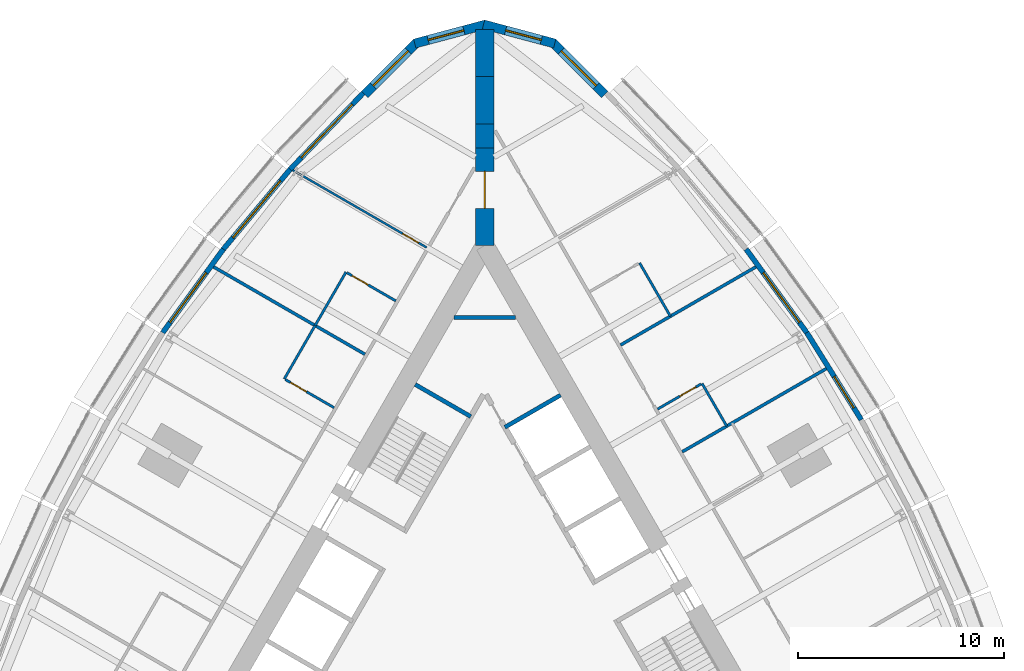
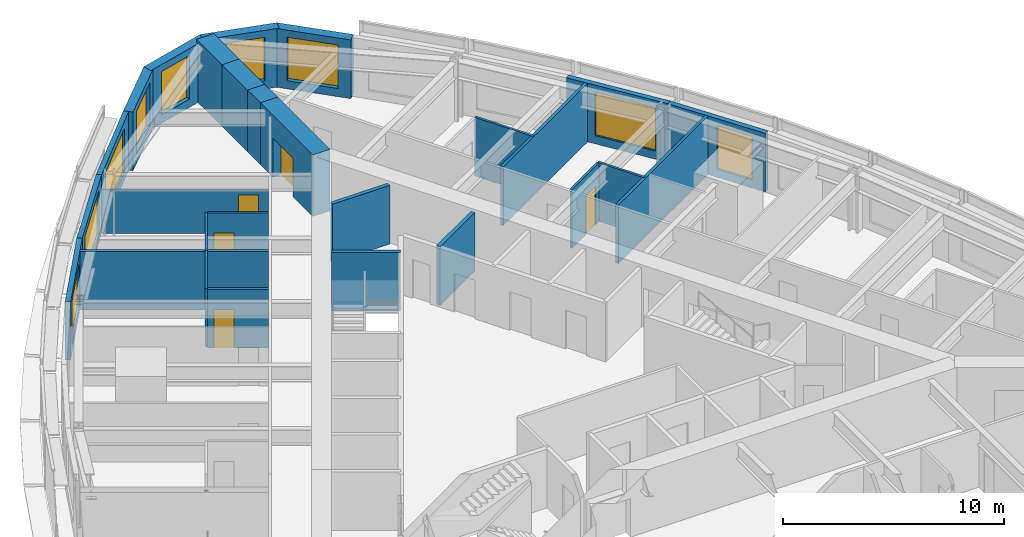
# One storey, part 12 of 14: 27 walls, 9 windows, 5 doors, 14 openings.
"""IFC4 building model written with IfcOpenShell, lengths in metres."""

from ifc_helpers import new_model, si_unit, direction, frame, frame_2d, origin, place, context, subcontext, project, spatial, polyline, rectangle, outline, extrude, material, layer, layer_set, type_object, element, fill, save


model = new_model("IFC4")

# Units and contexts
model_context = context("Model", 3, precision=1e-05, world=origin(), true_north=direction((0.0, 1.0)))
body_context = subcontext(model_context, "Body", "Model", "MODEL_VIEW")
ifc_project = project(units=[si_unit("LENGTHUNIT", "METRE"), si_unit("AREAUNIT", "SQUARE_METRE"), si_unit("VOLUMEUNIT", "CUBIC_METRE"), si_unit("PLANEANGLEUNIT", "RADIAN"), si_unit("MASSUNIT", "GRAM", prefix="KILO")], contexts=[model_context])

# Site, building, storey
site_placement = place(None, origin())
site = spatial("IfcSite", under=ifc_project, at=site_placement, CompositionType="ELEMENT")
building_placement = place(site_placement, origin())
building = spatial("IfcBuilding", under=site, at=building_placement, Name="Trikona Tower", CompositionType="ELEMENT")
storey_placement = place(building_placement, frame((0.0, 0.0, 169.10009765625)))
storey = spatial("IfcBuildingStorey", under=building, at=storey_placement, Name="L45", CompositionType="ELEMENT", Elevation=169.10009765625)

# Wall
ifc_material_1 = material(Name="Metal stud and cement board", Category="gypsum")
ifc_layer_1 = layer(ifc_material_1, 0.1201171875)
ifc_layer_set_1 = layer_set([ifc_layer_1], Name="Bathroom wall 120")
wall_type_1 = type_object("IfcWallType", Name="Bathroom wall 120", PredefinedType="PLUMBINGWALL", material=ifc_layer_set_1)
wall_1_placement = place(storey_placement, frame((11.77294921875, 10.26123046875, 0.0), z_axis=(0.0, 0.0, 1.0), x_axis=(-0.500001309137, 0.866024647952, 0.0)))
element("IfcWall", 1, at=wall_1_placement, inside=storey, type_object=wall_type_1, Name="Bathroom wall 4508", PredefinedType="PLUMBINGWALL", context=body_context, shape_type="SweptSolid", body=[
    extrude(rectangle(XDim=2.39990234375, YDim=0.1201171875, at=frame_2d((1.199951171875, 0.0))), origin(), (0.0, 0.0, 1.0), 3.23486328125),
])

# Wall, opening, door
wall_2_placement = place(storey_placement, frame((8.407958984375, 11.089599609375, 0.0), z_axis=(0.0, 0.0, 1.0), x_axis=(0.865980627057, 0.500077547548, 0.0)))
wall_2 = element("IfcWall", 2, at=wall_2_placement, inside=storey, type_object=wall_type_1, Name="Bathroom wall 4508", PredefinedType="PLUMBINGWALL", context=body_context, shape_type="SweptSolid", body=[
    extrude(rectangle(XDim=2.43994140625, YDim=0.1201171875, at=frame_2d((1.219970703125, 0.0))), origin(), (0.0, 0.0, 1.0), 3.23486328125),
])
opening_1_placement = place(wall_2_placement, frame((1.25, 0.0, 0.0)))
opening_1 = element("IfcOpeningElement", 3, at=opening_1_placement, cuts=wall_2, Name="Opening D2", PredefinedType="OPENING", context=body_context, shape_type="SweptSolid", body=[
    extrude(rectangle(XDim=0.89990234375, YDim=2.1298828125, at=frame_2d((0.449951171875, 1.06494140625))), frame((0.0, 0.070068359375, 0.0), z_axis=(0.0, -1.0, 0.0), x_axis=(1.0, 0.0, 0.0)), (0.0, 0.0, 1.0), 0.14013671875),
])
ifc_material_2 = material(Name="Steel door frame with solid-core timber leaf", Category="steel")
door_type_1 = type_object("IfcDoorType", Name="Bathroom door 900x2130", OperationType="SLIDING_TO_LEFT", PredefinedType="DOOR", material=ifc_material_2)
door_1_placement = place(opening_1_placement, origin())
door_1 = element("IfcDoor", 4, at=door_1_placement, inside=storey, type_object=door_type_1, Name="Bathroom door 4508", OperationType="SLIDING_TO_LEFT", OverallHeight=2.1298828125, OverallWidth=0.89990234375, PredefinedType="DOOR", context=body_context, shape_type="SweptSolid", body=[
    extrude(rectangle(XDim=0.89990234375, YDim=2.1298828125, at=frame_2d((0.449951171875, 1.06494140625))), frame((0.0, 0.02490234375, 0.0), z_axis=(0.0, -1.0, 0.0), x_axis=(1.0, 0.0, 0.0)), (0.0, 0.0, 1.0), 0.050048828125),
])
fill(opening_1, door_1)

# Walls
for number, where, z_axis, x_axis, name in (
    (5, (9.03271484375, 15.607421875, 0.0), (0.0, 0.0, 1.0), (-0.50002537861, 0.866010750942, 0.0), "Bathroom wall 4509.1"),
    (6, (-6.75341796875, 17.75537109375, 0.0), (0.0, 0.0, 1.0), (-0.50002537861, -0.866010750942, 0.0), "Bathroom wall 4510.1"),
):
    element("IfcWall", number, at=place(storey_placement, frame(where, z_axis=z_axis, x_axis=x_axis)), inside=storey, type_object=wall_type_1, Name=name, PredefinedType="PLUMBINGWALL", context=body_context, shape_type="SweptSolid", body=[
        extrude(rectangle(XDim=2.999755859375, YDim=0.1201171875, at=frame_2d((1.5, 0.0))), origin(), (0.0, 0.0, 1.0), 3.23486328125),
    ])

# Wall, opening, door
wall_3_placement = place(storey_placement, frame((-4.32861328125, 16.35546875, 0.0), z_axis=(0.0, 0.0, 1.0), x_axis=(-0.866035715982, 0.499982138324, 0.0)))
wall_3 = element("IfcWall", 7, at=wall_3_placement, inside=storey, type_object=wall_type_1, Name="Bathroom wall 4510.1", PredefinedType="PLUMBINGWALL", context=body_context, shape_type="SweptSolid", body=[
    extrude(rectangle(XDim=2.73974609375, YDim=0.1201171875, at=frame_2d((1.369873046875, 0.0))), origin(), (0.0, 0.0, 1.0), 3.23486328125),
])
opening_2_placement = place(wall_3_placement, frame((1.550048828125, 0.0, 0.0)))
opening_2 = element("IfcOpeningElement", 8, at=opening_2_placement, cuts=wall_3, Name="Opening D2", PredefinedType="OPENING", context=body_context, shape_type="SweptSolid", body=[
    extrude(rectangle(XDim=0.89990234375, YDim=2.1298828125, at=frame_2d((0.449951171875, 1.06494140625))), frame((0.0, 0.070068359375, 0.0), z_axis=(0.0, -1.0, 0.0), x_axis=(1.0, 0.0, 0.0)), (0.0, 0.0, 1.0), 0.14013671875),
])
door_2_placement = place(opening_2_placement, origin())
door_2 = element("IfcDoor", 9, at=door_2_placement, inside=storey, type_object=door_type_1, Name="Bathroom door 4510.1", OperationType="SLIDING_TO_LEFT", OverallHeight=2.1298828125, OverallWidth=0.89990234375, PredefinedType="DOOR", context=body_context, shape_type="SweptSolid", body=[
    extrude(rectangle(XDim=0.89990234375, YDim=2.1298828125, at=frame_2d((0.449951171875, 1.06494140625))), frame((0.0, 0.02490234375, 0.0), z_axis=(0.0, -1.0, 0.0), x_axis=(1.0, 0.0, 0.0)), (0.0, 0.0, 1.0), 0.050048828125),
])
fill(opening_2, door_2)

# Wall
wall_4_placement = place(storey_placement, frame((-8.25341796875, 15.157470703125, 0.0), z_axis=(0.0, 0.0, 1.0), x_axis=(-0.499990139034, -0.866031096941, 0.0)))
element("IfcWall", 10, at=wall_4_placement, inside=storey, type_object=wall_type_1, Name="Bathroom wall 4511.1", PredefinedType="PLUMBINGWALL", context=body_context, shape_type="SweptSolid", body=[
    extrude(rectangle(XDim=3.0, YDim=0.1201171875, at=frame_2d((1.5, 0.0))), origin(), (0.0, 0.0, 1.0), 3.23486328125),
])

# Wall, opening, door
wall_5_placement = place(storey_placement, frame((-7.32861328125, 11.1591796875, 0.0), z_axis=(0.0, 0.0, 1.0), x_axis=(-0.865997131366, 0.500048966069, 0.0)))
wall_5 = element("IfcWall", 11, at=wall_5_placement, inside=storey, type_object=wall_type_1, Name="Bathroom wall 4511.1", PredefinedType="PLUMBINGWALL", context=body_context, shape_type="SweptSolid", body=[
    extrude(rectangle(XDim=2.739990234375, YDim=0.1201171875, at=frame_2d((1.3701171875, 0.0))), origin(), (0.0, 0.0, 1.0), 3.23486328125),
])
opening_3_placement = place(wall_5_placement, frame((1.550048828125, 0.0, 0.0)))
opening_3 = element("IfcOpeningElement", 12, at=opening_3_placement, cuts=wall_5, Name="Opening D2", PredefinedType="OPENING", context=body_context, shape_type="SweptSolid", body=[
    extrude(rectangle(XDim=0.89990234375, YDim=2.1298828125, at=frame_2d((0.449951171875, 1.06494140625))), frame((0.0, 0.070068359375, 0.0), z_axis=(0.0, -1.0, 0.0), x_axis=(1.0, 0.0, 0.0)), (0.0, 0.0, 1.0), 0.14013671875),
])
door_3_placement = place(opening_3_placement, origin())
door_3 = element("IfcDoor", 13, at=door_3_placement, inside=storey, type_object=door_type_1, Name="Bathroom door 4511.1", OperationType="SLIDING_TO_LEFT", OverallHeight=2.1298828125, OverallWidth=0.89990234375, PredefinedType="DOOR", context=body_context, shape_type="SweptSolid", body=[
    extrude(rectangle(XDim=0.89990234375, YDim=2.1298828125, at=frame_2d((0.449951171875, 1.06494140625))), frame((0.0, 0.02490234375, 0.0), z_axis=(0.0, -1.0, 0.0), x_axis=(1.0, 0.0, 0.0)), (0.0, 0.0, 1.0), 0.050048828125),
])
fill(opening_3, door_3)

# Wall, opening, window
ifc_material_3 = material(Name="Brick-faced precast concrete", Category="masonry")
ifc_layer_2 = layer(ifc_material_3, 0.449951171875)
ifc_layer_set_2 = layer_set([ifc_layer_2], Name="Brick-faced corner wall 450")
wall_type_2 = type_object("IfcWallType", Name="Brick-faced corner wall 450", PredefinedType="SOLIDWALL", material=ifc_layer_set_2)
wall_6_placement = place(storey_placement, frame((5.8408203125, 26.39892578125, 0.0), z_axis=(0.0, 0.0, 1.0), x_axis=(-0.707106781187, 0.707106781187, 0.0)))
wall_6 = element("IfcWall", 14, at=wall_6_placement, inside=storey, type_object=wall_type_2, Name="External wall L45-20", PredefinedType="SOLIDWALL", context=body_context, shape_type="SweptSolid", body=[
    extrude(rectangle(XDim=3.586181640625, YDim=0.449951171875, at=frame_2d((1.79296875, 0.0))), origin(), (0.0, 0.0, 1.0), 3.23486328125),
])
opening_4_placement = place(wall_6_placement, frame((0.59326171875, 0.0, 0.449951171875)))
opening_4 = element("IfcOpeningElement", 15, at=opening_4_placement, cuts=wall_6, Name="Opening W2424", PredefinedType="OPENING", context=body_context, shape_type="SweptSolid", body=[
    extrude(rectangle(XDim=2.39990234375, YDim=2.39990234375, at=frame_2d((1.199951171875, 1.199951171875))), frame((0.0, 0.23486328125, 0.0), z_axis=(0.0, -1.0, 0.0), x_axis=(1.0, 0.0, 0.0)), (0.0, 0.0, 1.0), 0.469970703125),
])
ifc_material_4 = material(Name="Aluminium-framed double glazing", Category="aluminium")
window_type_1 = type_object("IfcWindowType", Name="Window 2400x2400", PartitioningType="SINGLE_PANEL", PredefinedType="WINDOW", material=ifc_material_4)
window_1_placement = place(opening_4_placement, origin())
window_1 = element("IfcWindow", 16, at=window_1_placement, inside=storey, type_object=window_type_1, Name="Window 4509", OverallHeight=2.39990234375, OverallWidth=2.39990234375, PartitioningType="SINGLE_PANEL", PredefinedType="WINDOW", context=body_context, shape_type="SweptSolid", body=[
    extrude(rectangle(XDim=2.39990234375, YDim=2.39990234375, at=frame_2d((1.199951171875, 1.199951171875))), frame((0.0, 0.030029296875, 0.0), z_axis=(0.0, -1.0, 0.0), x_axis=(1.0, 0.0, 0.0)), (0.0, 0.0, 1.0), 0.06005859375),
])
fill(opening_4, window_1)

wall_7_placement = place(storey_placement, frame((3.406005859375, 28.876708984375, 0.0), z_axis=(0.0, 0.0, 1.0), x_axis=(-0.965924653531, 0.258823421857, 0.0)))
wall_7 = element("IfcWall", 17, at=wall_7_placement, inside=storey, type_object=wall_type_2, Name="External wall L45-21", PredefinedType="SOLIDWALL", context=body_context, shape_type="SweptSolid", body=[
    extrude(outline(polyline([(3.58642578125, 0.22509765625), (3.526611328125, 0.22509765625), (3.035400390625, 0.09326171875), (3.0, 0.22509765625), (0.0, 0.22509765625), (0.0, -0.22509765625), (3.58642578125, -0.22509765625), (3.58642578125, 0.22509765625)])), origin(), (0.0, 0.0, 1.0), 3.23486328125),
])
opening_5_placement = place(wall_7_placement, frame((0.6748046875, 0.0, 0.449951171875)))
opening_5 = element("IfcOpeningElement", 18, at=opening_5_placement, cuts=wall_7, Name="Opening W1824", PredefinedType="OPENING", context=body_context, shape_type="SweptSolid", body=[
    extrude(rectangle(XDim=1.800048828125, YDim=2.39990234375, at=frame_2d((0.89990234375, 1.199951171875))), frame((0.0, 0.23486328125, 0.0), z_axis=(0.0, -1.0, 0.0), x_axis=(1.0, 0.0, 0.0)), (0.0, 0.0, 1.0), 0.469970703125),
])
ifc_material_5 = material(Name="Aluminium-framed double glazing", Category="aluminium")
window_type_2 = type_object("IfcWindowType", Name="Window 1800x2400", PartitioningType="SINGLE_PANEL", PredefinedType="WINDOW", material=ifc_material_5)
window_2_placement = place(opening_5_placement, origin())
window_2 = element("IfcWindow", 19, at=window_2_placement, inside=storey, type_object=window_type_2, Name="Window 4509", OverallHeight=2.39990234375, OverallWidth=1.800048828125, PartitioningType="SINGLE_PANEL", PredefinedType="WINDOW", context=body_context, shape_type="SweptSolid", body=[
    extrude(rectangle(XDim=1.800048828125, YDim=2.39990234375, at=frame_2d((0.89990234375, 1.199951171875))), frame((0.0, 0.030029296875, 0.0), z_axis=(0.0, -1.0, 0.0), x_axis=(1.0, 0.0, 0.0)), (0.0, 0.0, 1.0), 0.06005859375),
])
fill(opening_5, window_2)

wall_8_placement = place(storey_placement, frame((0.05810546875, 29.804931640625, 0.0), z_axis=(0.0, 0.0, 1.0), x_axis=(-0.965924653531, -0.258823421857, 0.0)))
wall_8 = element("IfcWall", 20, at=wall_8_placement, inside=storey, type_object=wall_type_2, Name="External wall L45-22", PredefinedType="SOLIDWALL", context=body_context, shape_type="SweptSolid", body=[
    extrude(outline(polyline([(3.58642578125, 0.22509765625), (0.58642578125, 0.22509765625), (0.551025390625, 0.09326171875), (0.0595703125, 0.22509765625), (0.0, 0.22509765625), (0.0, -0.22509765625), (3.58642578125, -0.22509765625), (3.58642578125, 0.22509765625)])), origin(), (0.0, 0.0, 1.0), 3.23486328125),
])
opening_6_placement = place(wall_8_placement, frame((1.111328125, 0.0, 0.449951171875)))
opening_6 = element("IfcOpeningElement", 21, at=opening_6_placement, cuts=wall_8, Name="Opening W1824", PredefinedType="OPENING", context=body_context, shape_type="SweptSolid", body=[
    extrude(rectangle(XDim=1.800048828125, YDim=2.39990234375, at=frame_2d((0.89990234375, 1.199951171875))), frame((0.0, 0.23486328125, 0.0), z_axis=(0.0, -1.0, 0.0), x_axis=(1.0, 0.0, 0.0)), (0.0, 0.0, 1.0), 0.469970703125),
])
window_3_placement = place(opening_6_placement, origin())
window_3 = element("IfcWindow", 22, at=window_3_placement, inside=storey, type_object=window_type_2, Name="Window 4510", OverallHeight=2.39990234375, OverallWidth=1.800048828125, PartitioningType="SINGLE_PANEL", PredefinedType="WINDOW", context=body_context, shape_type="SweptSolid", body=[
    extrude(rectangle(XDim=1.800048828125, YDim=2.39990234375, at=frame_2d((0.89990234375, 1.199951171875))), frame((0.0, 0.030029296875, 0.0), z_axis=(0.0, -1.0, 0.0), x_axis=(1.0, 0.0, 0.0)), (0.0, 0.0, 1.0), 0.06005859375),
])
fill(opening_6, window_3)

wall_9_placement = place(storey_placement, frame((-3.304931640625, 28.934814453125, 0.0), z_axis=(0.0, 0.0, 1.0), x_axis=(-0.707106781187, -0.707106781187, 0.0)))
wall_9 = element("IfcWall", 23, at=wall_9_placement, inside=storey, type_object=wall_type_2, Name="External wall L45-23", PredefinedType="SOLIDWALL", context=body_context, shape_type="SweptSolid", body=[
    extrude(rectangle(XDim=3.586181640625, YDim=0.449951171875, at=frame_2d((1.79296875, 0.0))), origin(), (0.0, 0.0, 1.0), 3.23486328125),
])
opening_7_placement = place(wall_9_placement, frame((0.59326171875, 0.0, 0.449951171875)))
opening_7 = element("IfcOpeningElement", 24, at=opening_7_placement, cuts=wall_9, Name="Opening W2424", PredefinedType="OPENING", context=body_context, shape_type="SweptSolid", body=[
    extrude(rectangle(XDim=2.39990234375, YDim=2.39990234375, at=frame_2d((1.199951171875, 1.199951171875))), frame((0.0, 0.23486328125, 0.0), z_axis=(0.0, -1.0, 0.0), x_axis=(1.0, 0.0, 0.0)), (0.0, 0.0, 1.0), 0.469970703125),
])
window_4_placement = place(opening_7_placement, origin())
window_4 = element("IfcWindow", 25, at=window_4_placement, inside=storey, type_object=window_type_1, Name="Window 4510", OverallHeight=2.39990234375, OverallWidth=2.39990234375, PartitioningType="SINGLE_PANEL", PredefinedType="WINDOW", context=body_context, shape_type="SweptSolid", body=[
    extrude(rectangle(XDim=2.39990234375, YDim=2.39990234375, at=frame_2d((1.199951171875, 1.199951171875))), frame((0.0, 0.030029296875, 0.0), z_axis=(0.0, -1.0, 0.0), x_axis=(1.0, 0.0, 0.0)), (0.0, 0.0, 1.0), 0.06005859375),
])
fill(opening_7, window_4)

# Wall, opening, door
ifc_material_6 = material(Name="Concrete f'c 10000 psi", Category="concrete")
ifc_layer_3 = layer(ifc_material_6, 0.89990234375)
ifc_layer_set_3 = layer_set([ifc_layer_3], Name="Buttress wall 900")
wall_type_3 = type_object("IfcWallType", Name="Buttress wall 900", PredefinedType="SHEAR", material=ifc_layer_set_3)
wall_10_placement = place(storey_placement, frame((0.0, 19.052490234375, 0.0), z_axis=(0.0, 0.0, 1.0), x_axis=(0.0, 1.0, 0.0)))
wall_10 = element("IfcWall", 26, at=wall_10_placement, inside=storey, type_object=wall_type_3, Name="Buttress wall 2", PredefinedType="SHEAR", context=body_context, shape_type="SweptSolid", body=[
    extrude(rectangle(XDim=4.74609375, YDim=0.89990234375, at=frame_2d((2.373046875, 0.0))), origin(), (0.0, 0.0, 1.0), 3.39990234375),
])
opening_8_placement = place(wall_10_placement, frame((1.800048828125, 0.0, 0.0)))
opening_8 = element("IfcOpeningElement", 27, at=opening_8_placement, cuts=wall_10, Name="Opening D10", PredefinedType="OPENING", context=body_context, shape_type="SweptSolid", body=[
    extrude(rectangle(XDim=1.800048828125, YDim=2.1298828125, at=frame_2d((0.89990234375, 1.06494140625))), frame((0.0, 0.4599609375, 0.0), z_axis=(0.0, -1.0, 0.0), x_axis=(1.0, 0.0, 0.0)), (0.0, 0.0, 1.0), 0.919921875),
])
ifc_material_7 = material(Name="Hollow metal door and frame", Category="steel")
door_type_2 = type_object("IfcDoorType", Name="Cross-corridor door pair 1800x2130", OperationType="DOUBLE_DOOR_DOUBLE_SWING", PredefinedType="DOOR", material=ifc_material_7)
door_4_placement = place(opening_8_placement, origin())
door_4 = element("IfcDoor", 28, at=door_4_placement, inside=storey, type_object=door_type_2, Name="Cross-corridor door 2", OperationType="DOUBLE_DOOR_DOUBLE_SWING", OverallHeight=2.1298828125, OverallWidth=1.800048828125, PredefinedType="DOOR", context=body_context, shape_type="SweptSolid", body=[
    extrude(rectangle(XDim=1.800048828125, YDim=2.1298828125, at=frame_2d((0.89990234375, 1.06494140625))), frame((0.0, 0.02490234375, 0.0), z_axis=(0.0, -1.0, 0.0), x_axis=(1.0, 0.0, 0.0)), (0.0, 0.0, 1.0), 0.050048828125),
])
fill(opening_8, door_4)

# Walls
wall_11_placement = place(storey_placement, frame((0.0, 23.798583984375, 0.0), z_axis=(0.0, 0.0, 1.0), x_axis=(0.0, 1.0, 0.0)))
element("IfcWall", 29, at=wall_11_placement, inside=storey, type_object=wall_type_3, Name="Buttress wall 2 part 2", PredefinedType="SHEAR", context=body_context, shape_type="SweptSolid", body=[
    extrude(rectangle(XDim=1.15478515625, YDim=0.89990234375, at=frame_2d((0.577392578125, 0.0))), origin(), (0.0, 0.0, 1.0), 3.39990234375),
])
wall_12_placement = place(storey_placement, frame((0.0, 24.953369140625, 0.0), z_axis=(0.0, 0.0, 1.0), x_axis=(0.0, 1.0, 0.0)))
element("IfcWall", 30, at=wall_12_placement, inside=storey, type_object=wall_type_3, Name="Buttress wall 2 part 3", PredefinedType="SHEAR", context=body_context, shape_type="SweptSolid", body=[
    extrude(rectangle(XDim=2.309326171875, YDim=0.89990234375, at=frame_2d((1.15478515625, 0.0))), origin(), (0.0, 0.0, 1.0), 3.39990234375),
])
wall_13_placement = place(storey_placement, frame((0.0, 27.2626953125, 0.0), z_axis=(0.0, 0.0, 1.0), x_axis=(0.0, 1.0, 0.0)))
element("IfcWall", 31, at=wall_13_placement, inside=storey, type_object=wall_type_3, Name="Buttress wall 2 part 4", PredefinedType="SHEAR", context=body_context, shape_type="SweptSolid", body=[
    extrude(rectangle(XDim=2.3095703125, YDim=0.89990234375, at=frame_2d((1.15478515625, 0.0))), origin(), (0.0, 0.0, 1.0), 3.39990234375),
])

# Wall, opening, window
ifc_material_8 = material(Name="Insulated precast concrete spandrel panel", Category="concrete")
ifc_layer_4 = layer(ifc_material_8, 0.25)
ifc_layer_set_4 = layer_set([ifc_layer_4], Name="Inner skin wall 250")
wall_type_4 = type_object("IfcWallType", Name="Inner skin wall 250", PredefinedType="STANDARD", material=ifc_layer_set_4)
wall_14_placement = place(storey_placement, frame((18.31884765625, 10.5712890625, 0.0), z_axis=(0.0, 0.0, 1.0), x_axis=(-0.529990167382, 0.84800378683, 0.0)))
wall_14 = element("IfcWall", 32, at=wall_14_placement, inside=storey, type_object=wall_type_4, Name="External wall L45-16", PredefinedType="STANDARD", context=body_context, shape_type="SweptSolid", body=[
    extrude(rectangle(XDim=5.003173828125, YDim=0.25, at=frame_2d((2.50146484375, 0.0))), origin(), (0.0, 0.0, 1.0), 3.23486328125),
])
opening_9_placement = place(wall_14_placement, frame((0.683837890625, 0.0, 0.449951171875)))
opening_9 = element("IfcOpeningElement", 33, at=opening_9_placement, cuts=wall_14, Name="Opening W1824", PredefinedType="OPENING", context=body_context, shape_type="SweptSolid", body=[
    extrude(rectangle(XDim=1.800048828125, YDim=2.39990234375, at=frame_2d((0.89990234375, 1.199951171875))), frame((0.0, 0.135009765625, 0.0), z_axis=(0.0, -1.0, 0.0), x_axis=(1.0, 0.0, 0.0)), (0.0, 0.0, 1.0), 0.27001953125),
])
window_5_placement = place(opening_9_placement, origin())
window_5 = element("IfcWindow", 34, at=window_5_placement, inside=storey, type_object=window_type_2, Name="Window 4507.1", OverallHeight=2.39990234375, OverallWidth=1.800048828125, PartitioningType="SINGLE_PANEL", PredefinedType="WINDOW", context=body_context, shape_type="SweptSolid", body=[
    extrude(rectangle(XDim=1.800048828125, YDim=2.39990234375, at=frame_2d((0.89990234375, 1.199951171875))), frame((0.0, 0.030029296875, 0.0), z_axis=(0.0, -1.0, 0.0), x_axis=(1.0, 0.0, 0.0)), (0.0, 0.0, 1.0), 0.06005859375),
])
fill(opening_9, window_5)

wall_15_placement = place(storey_placement, frame((15.672119140625, 14.806640625, 0.0), z_axis=(0.0, 0.0, 1.0), x_axis=(-0.587669188412, 0.809101307001, 0.0)))
wall_15 = element("IfcWall", 35, at=wall_15_placement, inside=storey, type_object=wall_type_4, Name="External wall L45-17", PredefinedType="STANDARD", context=body_context, shape_type="SweptSolid", body=[
    extrude(rectangle(XDim=5.027587890625, YDim=0.25, at=frame_2d((2.513671875, 0.0))), origin(), (0.0, 0.0, 1.0), 3.23486328125),
])
opening_10_placement = place(wall_15_placement, frame((0.609619140625, 0.0, 0.449951171875)))
opening_10 = element("IfcOpeningElement", 36, at=opening_10_placement, cuts=wall_15, Name="Opening W3024", PredefinedType="OPENING", context=body_context, shape_type="SweptSolid", body=[
    extrude(rectangle(XDim=3.0, YDim=2.39990234375, at=frame_2d((1.5, 1.199951171875))), frame((0.0, 0.135009765625, 0.0), z_axis=(0.0, -1.0, 0.0), x_axis=(1.0, 0.0, 0.0)), (0.0, 0.0, 1.0), 0.27001953125),
])
ifc_material_9 = material(Name="Aluminium-framed double glazing", Category="aluminium")
window_type_3 = type_object("IfcWindowType", Name="Window 3000x2400", PartitioningType="SINGLE_PANEL", PredefinedType="WINDOW", material=ifc_material_9)
window_6_placement = place(opening_10_placement, origin())
window_6 = element("IfcWindow", 37, at=window_6_placement, inside=storey, type_object=window_type_3, Name="Window 4508", OverallHeight=2.39990234375, OverallWidth=3.0, PartitioningType="SINGLE_PANEL", PredefinedType="WINDOW", context=body_context, shape_type="SweptSolid", body=[
    extrude(rectangle(XDim=3.0, YDim=2.39990234375, at=frame_2d((1.5, 1.199951171875))), frame((0.0, 0.030029296875, 0.0), z_axis=(0.0, -1.0, 0.0), x_axis=(1.0, 0.0, 0.0)), (0.0, 0.0, 1.0), 0.06005859375),
])
fill(opening_10, window_6)

wall_16_placement = place(storey_placement, frame((-5.90966796875, 26.4716796875, 0.0), z_axis=(0.0, 0.0, 1.0), x_axis=(-0.691719937936, -0.722165858693, 0.0)))
wall_16 = element("IfcWall", 38, at=wall_16_placement, inside=storey, type_object=wall_type_4, Name="External wall L45-24", PredefinedType="STANDARD", context=body_context, shape_type="SweptSolid", body=[
    extrude(rectangle(XDim=5.148193359375, YDim=0.25, at=frame_2d((2.57421875, 0.0))), origin(), (0.0, 0.0, 1.0), 3.23486328125),
])
opening_11_placement = place(wall_16_placement, frame((0.77392578125, 0.0, 0.449951171875)))
opening_11 = element("IfcOpeningElement", 39, at=opening_11_placement, cuts=wall_16, Name="Opening W3624", PredefinedType="OPENING", context=body_context, shape_type="SweptSolid", body=[
    extrude(rectangle(XDim=3.60009765625, YDim=2.39990234375, at=frame_2d((1.800048828125, 1.199951171875))), frame((0.0, 0.135009765625, 0.0), z_axis=(0.0, -1.0, 0.0), x_axis=(1.0, 0.0, 0.0)), (0.0, 0.0, 1.0), 0.27001953125),
])
ifc_material_10 = material(Name="Aluminium-framed double glazing", Category="aluminium")
window_type_4 = type_object("IfcWindowType", Name="Window 3600x2400", PartitioningType="SINGLE_PANEL", PredefinedType="WINDOW", material=ifc_material_10)
window_7_placement = place(opening_11_placement, origin())
window_7 = element("IfcWindow", 40, at=window_7_placement, inside=storey, type_object=window_type_4, Name="Window 4510", OverallHeight=2.39990234375, OverallWidth=3.60009765625, PartitioningType="SINGLE_PANEL", PredefinedType="WINDOW", context=body_context, shape_type="SweptSolid", body=[
    extrude(rectangle(XDim=3.60009765625, YDim=2.39990234375, at=frame_2d((1.800048828125, 1.199951171875))), frame((0.0, 0.030029296875, 0.0), z_axis=(0.0, -1.0, 0.0), x_axis=(1.0, 0.0, 0.0)), (0.0, 0.0, 1.0), 0.06005859375),
])
fill(opening_11, window_7)

wall_17_placement = place(storey_placement, frame((-9.465087890625, 22.76025390625, 0.0), z_axis=(0.0, 0.0, 1.0), x_axis=(-0.641810386606, -0.766863369607, 0.0)))
wall_17 = element("IfcWall", 41, at=wall_17_placement, inside=storey, type_object=wall_type_4, Name="External wall L45-25", PredefinedType="STANDARD", context=body_context, shape_type="SweptSolid", body=[
    extrude(rectangle(XDim=5.075927734375, YDim=0.25, at=frame_2d((2.5380859375, 0.0))), origin(), (0.0, 0.0, 1.0), 3.23486328125),
])
opening_12_placement = place(wall_17_placement, frame((0.738037109375, 0.0, 0.449951171875)))
opening_12 = element("IfcOpeningElement", 42, at=opening_12_placement, cuts=wall_17, Name="Opening W3624", PredefinedType="OPENING", context=body_context, shape_type="SweptSolid", body=[
    extrude(rectangle(XDim=3.60009765625, YDim=2.39990234375, at=frame_2d((1.800048828125, 1.199951171875))), frame((0.0, 0.135009765625, 0.0), z_axis=(0.0, -1.0, 0.0), x_axis=(1.0, 0.0, 0.0)), (0.0, 0.0, 1.0), 0.27001953125),
])
window_8_placement = place(opening_12_placement, origin())
window_8 = element("IfcWindow", 43, at=window_8_placement, inside=storey, type_object=window_type_4, Name="Window 4510.1", OverallHeight=2.39990234375, OverallWidth=3.60009765625, PartitioningType="SINGLE_PANEL", PredefinedType="WINDOW", context=body_context, shape_type="SweptSolid", body=[
    extrude(rectangle(XDim=3.60009765625, YDim=2.39990234375, at=frame_2d((1.800048828125, 1.199951171875))), frame((0.0, 0.030029296875, 0.0), z_axis=(0.0, -1.0, 0.0), x_axis=(1.0, 0.0, 0.0)), (0.0, 0.0, 1.0), 0.06005859375),
])
fill(opening_12, window_8)

wall_18_placement = place(storey_placement, frame((-12.717529296875, 18.87451171875, 0.0), z_axis=(0.0, 0.0, 1.0), x_axis=(-0.587669188412, -0.809101307001, 0.0)))
wall_18 = element("IfcWall", 44, at=wall_18_placement, inside=storey, type_object=wall_type_4, Name="External wall L45-26", PredefinedType="STANDARD", context=body_context, shape_type="SweptSolid", body=[
    extrude(rectangle(XDim=5.027587890625, YDim=0.25, at=frame_2d((2.513671875, 0.0))), origin(), (0.0, 0.0, 1.0), 3.23486328125),
])
opening_13_placement = place(wall_18_placement, frame((1.41796875, 0.0, 0.449951171875)))
opening_13 = element("IfcOpeningElement", 45, at=opening_13_placement, cuts=wall_18, Name="Opening W3024", PredefinedType="OPENING", context=body_context, shape_type="SweptSolid", body=[
    extrude(rectangle(XDim=3.0, YDim=2.39990234375, at=frame_2d((1.5, 1.199951171875))), frame((0.0, 0.135009765625, 0.0), z_axis=(0.0, -1.0, 0.0), x_axis=(1.0, 0.0, 0.0)), (0.0, 0.0, 1.0), 0.27001953125),
])
window_9_placement = place(opening_13_placement, origin())
window_9 = element("IfcWindow", 46, at=window_9_placement, inside=storey, type_object=window_type_3, Name="Window 4511.1", OverallHeight=2.39990234375, OverallWidth=3.0, PartitioningType="SINGLE_PANEL", PredefinedType="WINDOW", context=body_context, shape_type="SweptSolid", body=[
    extrude(rectangle(XDim=3.0, YDim=2.39990234375, at=frame_2d((1.5, 1.199951171875))), frame((0.0, 0.030029296875, 0.0), z_axis=(0.0, -1.0, 0.0), x_axis=(1.0, 0.0, 0.0)), (0.0, 0.0, 1.0), 0.06005859375),
])
fill(opening_13, window_9)

# Walls
ifc_material_11 = material(Name="Metal stud and gypsum board, 1-hour acoustic", Category="gypsum")
ifc_layer_5 = layer(ifc_material_11, 0.14990234375)
ifc_layer_set_5 = layer_set([ifc_layer_5], Name="Party wall 150")
wall_type_5 = type_object("IfcWallType", Name="Party wall 150", PredefinedType="PARTITIONING", material=ifc_layer_set_5)
wall_19_placement = place(storey_placement, frame((9.60791015625, 9.01123046875, 0.0), z_axis=(0.0, 0.0, 1.0), x_axis=(0.866021827868, 0.500006193617, 0.0)))
element("IfcWall", 47, at=wall_19_placement, inside=storey, type_object=wall_type_5, Name="Partition L45 F2 u3", PredefinedType="PARTITIONING", context=body_context, shape_type="SweptSolid", body=[
    extrude(rectangle(XDim=8.09375, YDim=0.14990234375, at=frame_2d((4.046875, 0.0))), origin(), (0.0, 0.0, 1.0), 3.23486328125),
])
wall_20_placement = place(storey_placement, frame((6.60791015625, 14.20751953125, 0.0), z_axis=(0.0, 0.0, 1.0), x_axis=(0.866025154315, 0.500000432093, 0.0)))
element("IfcWall", 48, at=wall_20_placement, inside=storey, type_object=wall_type_5, Name="Partition L45 F2 u9", PredefinedType="PARTITIONING", context=body_context, shape_type="SweptSolid", body=[
    extrude(rectangle(XDim=7.6025390625, YDim=0.14990234375, at=frame_2d((3.80126953125, 0.0))), origin(), (0.0, 0.0, 1.0), 3.23486328125),
])
wall_21_placement = place(storey_placement, frame((-5.82861328125, 13.75732421875, 0.0), z_axis=(0.0, 0.0, 1.0), x_axis=(-0.866011529155, 0.500024030793, 0.0)))
element("IfcWall", 49, at=wall_21_placement, inside=storey, type_object=wall_type_5, Name="Partition L45 F3 u-9", PredefinedType="PARTITIONING", context=body_context, shape_type="SweptSolid", body=[
    extrude(rectangle(XDim=8.50244140625, YDim=0.14990234375, at=frame_2d((4.251220703125, 0.0))), origin(), (0.0, 0.0, 1.0), 3.23486328125),
])
ifc_material_12 = material(Name="Concrete f'c 8000 psi", Category="concrete")
ifc_layer_6 = layer(ifc_material_12, 0.199951171875)
ifc_layer_set_6 = layer_set([ifc_layer_6], Name="Shaft wall 200")
wall_type_6 = type_object("IfcWallType", Name="Shaft wall 200", PredefinedType="SOLIDWALL", material=ifc_layer_set_6)
wall_22_placement = place(storey_placement, frame((0.97900390625, 10.20703125, 0.0), z_axis=(0.0, 0.0, 1.0), x_axis=(0.866022959057, 0.500004234368, 0.0)))
element("IfcWall", 50, at=wall_22_placement, inside=storey, type_object=wall_type_6, Name="Shaft wall B6", PredefinedType="SOLIDWALL", context=body_context, shape_type="SweptSolid", body=[
    extrude(rectangle(XDim=3.125, YDim=0.199951171875, at=frame_2d((1.5625, 0.0))), origin(), (0.0, 0.0, 1.0), 3.23486328125),
])
wall_23_placement = place(storey_placement, frame((-1.501220703125, 15.552490234375, 0.0), z_axis=(0.0, 0.0, 1.0), x_axis=(1.0, 0.0, 0.0)))
element("IfcWall", 51, at=wall_23_placement, inside=storey, type_object=wall_type_6, Name="Riser wall L45-RS2", PredefinedType="SOLIDWALL", context=body_context, shape_type="SweptSolid", body=[
    extrude(rectangle(XDim=3.00244140625, YDim=0.199951171875, at=frame_2d((1.501220703125, 0.0))), origin(), (0.0, 0.0, 1.0), 3.23486328125),
])
ifc_material_13 = material(Name="Concrete f'c 8000 psi", Category="concrete")
ifc_layer_7 = layer(ifc_material_13, 0.199951171875)
ifc_layer_set_7 = layer_set([ifc_layer_7], Name="Shaft wall 200 load-bearing")
wall_type_7 = type_object("IfcWallType", Name="Shaft wall 200 load-bearing", PredefinedType="SOLIDWALL", material=ifc_layer_set_7)
wall_24_placement = place(storey_placement, frame((-0.678955078125, 10.7265625, 0.0), z_axis=(0.0, 0.0, 1.0), x_axis=(-0.866022959057, 0.500004234368, 0.0)))
element("IfcWall", 52, at=wall_24_placement, inside=storey, type_object=wall_type_7, Name="Shaft wall C1", PredefinedType="SOLIDWALL", context=body_context, shape_type="SweptSolid", body=[
    extrude(rectangle(XDim=3.125, YDim=0.199951171875, at=frame_2d((1.5625, 0.0))), origin(), (0.0, 0.0, 1.0), 3.23486328125),
])

# Wall, opening, door
ifc_material_14 = material(Name="Metal stud and gypsum board, acoustic", Category="gypsum")
ifc_layer_8 = layer(ifc_material_14, 0.10009765625)
ifc_layer_set_8 = layer_set([ifc_layer_8], Name="Suite partition 100")
wall_type_8 = type_object("IfcWallType", Name="Suite partition 100", PredefinedType="PARTITIONING", material=ifc_layer_set_8)
wall_25_placement = place(storey_placement, frame((-2.82861328125, 18.95361328125, 0.0), z_axis=(0.0, 0.0, 1.0), x_axis=(-0.866015739374, 0.500016738876, 0.0)))
wall_25 = element("IfcWall", 53, at=wall_25_placement, inside=storey, type_object=wall_type_8, Name="Suite partition L45 F3 u-15", PredefinedType="PARTITIONING", context=body_context, shape_type="SweptSolid", body=[
    extrude(rectangle(XDim=7.516357421875, YDim=0.10009765625, at=frame_2d((3.75830078125, 0.0))), origin(), (0.0, 0.0, 1.0), 2.38916015625),
])
opening_14_placement = place(wall_25_placement, frame((0.449951171875, 0.0, 0.0)))
opening_14 = element("IfcOpeningElement", 54, at=opening_14_placement, cuts=wall_25, Name="Opening D13", PredefinedType="OPENING", context=body_context, shape_type="SweptSolid", body=[
    extrude(rectangle(XDim=0.89990234375, YDim=2.1298828125, at=frame_2d((0.449951171875, 1.06494140625))), frame((0.0, 0.06005859375, 0.0), z_axis=(0.0, -1.0, 0.0), x_axis=(1.0, 0.0, 0.0)), (0.0, 0.0, 1.0), 0.1201171875),
])
ifc_material_15 = material(Name="Steel door frame with solid-core timber leaf", Category="steel")
door_type_3 = type_object("IfcDoorType", Name="Suite door 900x2130", OperationType="SINGLE_SWING_LEFT", PredefinedType="DOOR", material=ifc_material_15)
door_5_placement = place(opening_14_placement, origin())
door_5 = element("IfcDoor", 55, at=door_5_placement, inside=storey, type_object=door_type_3, Name="Suite door 4510", OperationType="SINGLE_SWING_LEFT", OverallHeight=2.1298828125, OverallWidth=0.89990234375, PredefinedType="DOOR", context=body_context, shape_type="SweptSolid", body=[
    extrude(rectangle(XDim=0.89990234375, YDim=2.1298828125, at=frame_2d((0.449951171875, 1.06494140625))), frame((0.0, 0.02490234375, 0.0), z_axis=(0.0, -1.0, 0.0), x_axis=(1.0, 0.0, 0.0)), (0.0, 0.0, 1.0), 0.050048828125),
])
fill(opening_14, door_5)

save(model, "model.ifc")
